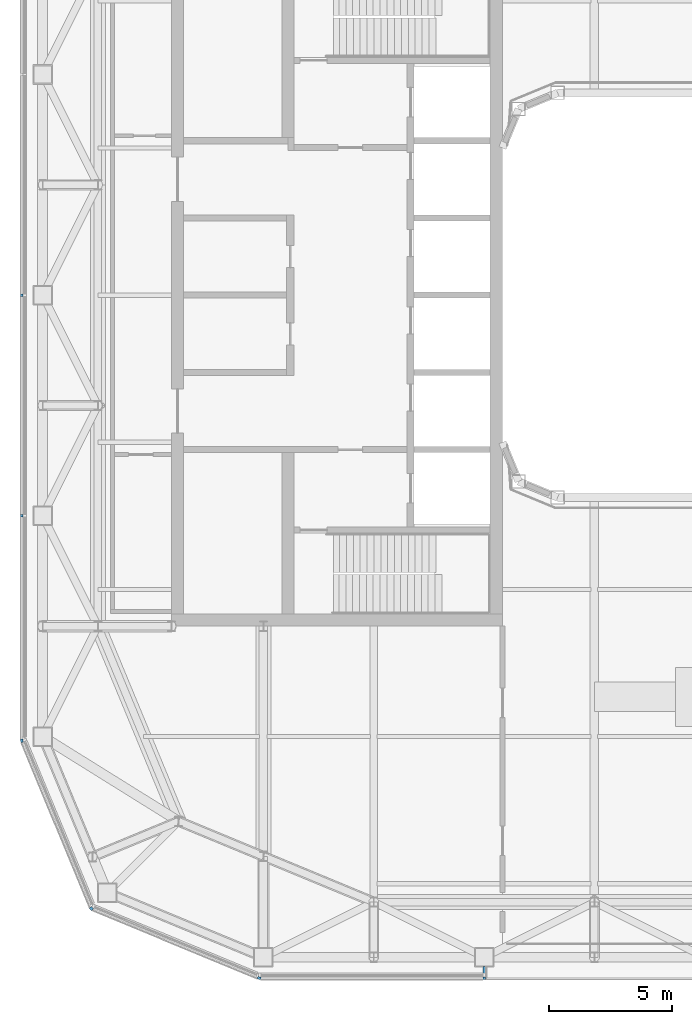
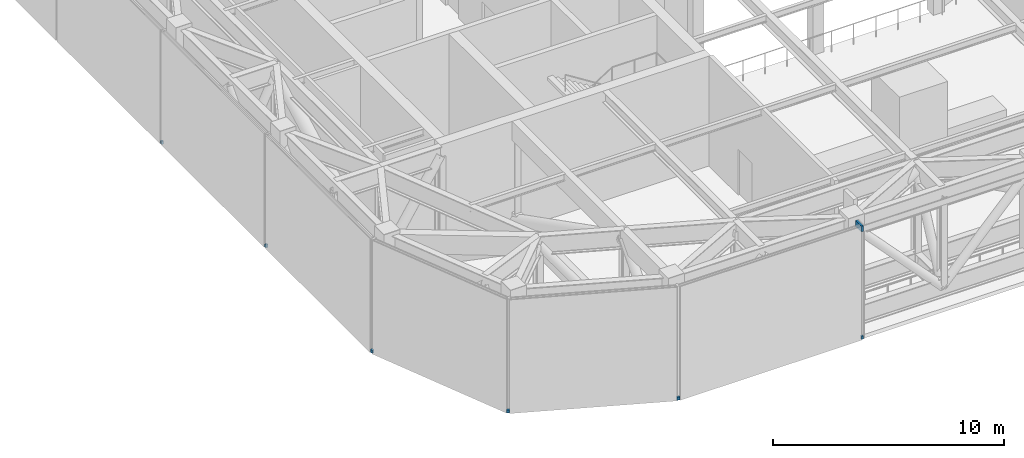
# One storey, part 14 of 21: 7 discrete accessories.
"""IFC4 building model written with IfcOpenShell, lengths in metres."""

from ifc_helpers import new_model, si_unit, direction, frame, origin, origin_2d, place, context, subcontext, project, spatial, rectangle, extrude, material, type_object, element, save


model = new_model("IFC4")

# Units and contexts
model_context = context("Model", 3, precision=1e-05, world=origin(), true_north=direction((0.0, 1.0)))
body_context = subcontext(model_context, "Body", "Model", "MODEL_VIEW")
ifc_project = project(units=[si_unit("LENGTHUNIT", "METRE"), si_unit("AREAUNIT", "SQUARE_METRE"), si_unit("VOLUMEUNIT", "CUBIC_METRE"), si_unit("PLANEANGLEUNIT", "RADIAN"), si_unit("MASSUNIT", "GRAM", prefix="KILO")], contexts=[model_context])

# Site, building, storey
site_placement = place(None, origin())
site = spatial("IfcSite", under=ifc_project, at=site_placement, CompositionType="ELEMENT")
building_placement = place(site_placement, origin())
building = spatial("IfcBuilding", under=site, at=building_placement, Name="Siwar Civic Tower", CompositionType="ELEMENT")
storey_placement = place(building_placement, frame((0.0, 0.0, 278.199951171875)))
storey = spatial("IfcBuildingStorey", under=building, at=storey_placement, Name="L60", CompositionType="ELEMENT", Elevation=278.199951171875)

# Discrete accessories
ifc_material = material(Name="Stainless steel 316", Category="steel")
discrete_accessory_type = type_object("IfcDiscreteAccessoryType", Name="ENV-BRACKET", PredefinedType="BRACKET", material=ifc_material)
discrete_accessory_1_placement = place(storey_placement, frame((-9.0, -27.85009765625, -0.1796875), z_axis=(0.0, 0.0, 1.0), x_axis=(0.0, -1.0, 0.0)))
element("IfcDiscreteAccessory", 1, at=discrete_accessory_1_placement, inside=storey, type_object=discrete_accessory_type, Name="Bracket outer skin joint S-01", PredefinedType="BRACKET", context=body_context, shape_type="SweptSolid", body=[
    extrude(rectangle(XDim=0.10009765625, YDim=0.10009765625, at=origin_2d()), origin(), (0.0, 0.0, 1.0), 0.159912109375),
])
for number, where, z_axis, x_axis, name in (
    (2, (-18.169189453125, -27.85009765625, -0.1796875), (0.0, 0.0, 1.0), (-0.195090322016, -0.980785280403, 0.0), "Bracket outer skin joint V00"),
    (3, (-27.85009765625, -18.169189453125, -0.1796875), (0.0, 0.0, 1.0), (-0.980785280403, -0.195090322016, 0.0), "Bracket outer skin joint V10"),
):
    element("IfcDiscreteAccessory", number, at=place(storey_placement, frame(where, z_axis=z_axis, x_axis=x_axis)), inside=storey, type_object=discrete_accessory_type, Name=name, PredefinedType="BRACKET", context=body_context, shape_type="SweptSolid", body=[
        extrude(rectangle(XDim=0.10205078125, YDim=0.13720703125, at=origin_2d()), origin(), (0.0, 0.0, 1.0), 0.159912109375),
    ])
discrete_accessory_2_placement = place(storey_placement, frame((-25.014404296875, -25.014404296875, -0.1796875), z_axis=(0.0, 0.0, 1.0), x_axis=(-0.707106781187, -0.707106781187, 0.0)))
element("IfcDiscreteAccessory", 4, at=discrete_accessory_2_placement, inside=storey, type_object=discrete_accessory_type, Name="Bracket outer skin joint V11", PredefinedType="BRACKET", context=body_context, shape_type="SweptSolid", body=[
    extrude(rectangle(XDim=0.108154296875, YDim=0.12939453125, at=origin_2d()), origin(), (0.0, 0.0, 1.0), 0.159912109375),
])
for number, where, z_axis, x_axis, name in (
    (5, (-27.85009765625, 0.0, -0.1796875), (0.0, 0.0, 1.0), (-1.0, 0.0, 0.0), "Bracket outer skin joint W-02"),
    (6, (-27.85009765625, -9.0, -0.1796875), (0.0, 0.0, 1.0), (-1.0, 0.0, 0.0), "Bracket outer skin joint W-03"),
):
    element("IfcDiscreteAccessory", number, at=place(storey_placement, frame(where, z_axis=z_axis, x_axis=x_axis)), inside=storey, type_object=discrete_accessory_type, Name=name, PredefinedType="BRACKET", context=body_context, shape_type="SweptSolid", body=[
        extrude(rectangle(XDim=0.10009765625, YDim=0.10009765625, at=origin_2d()), origin(), (0.0, 0.0, 1.0), 0.159912109375),
    ])
discrete_accessory_3_placement = place(storey_placement, frame((-9.0, -27.639892578125, 5.5), z_axis=(0.0, 0.0, 1.0), x_axis=(0.0, 1.0, 0.0)))
element("IfcDiscreteAccessory", 7, at=discrete_accessory_3_placement, inside=storey, type_object=discrete_accessory_type, Name="Bracket portal frame S L60", PredefinedType="BRACKET", context=body_context, shape_type="SweptSolid", body=[
    extrude(rectangle(XDim=0.52001953125, YDim=0.10009765625, at=origin_2d()), origin(), (0.0, 0.0, 1.0), 0.300048828125),
])

save(model, "model.ifc")
